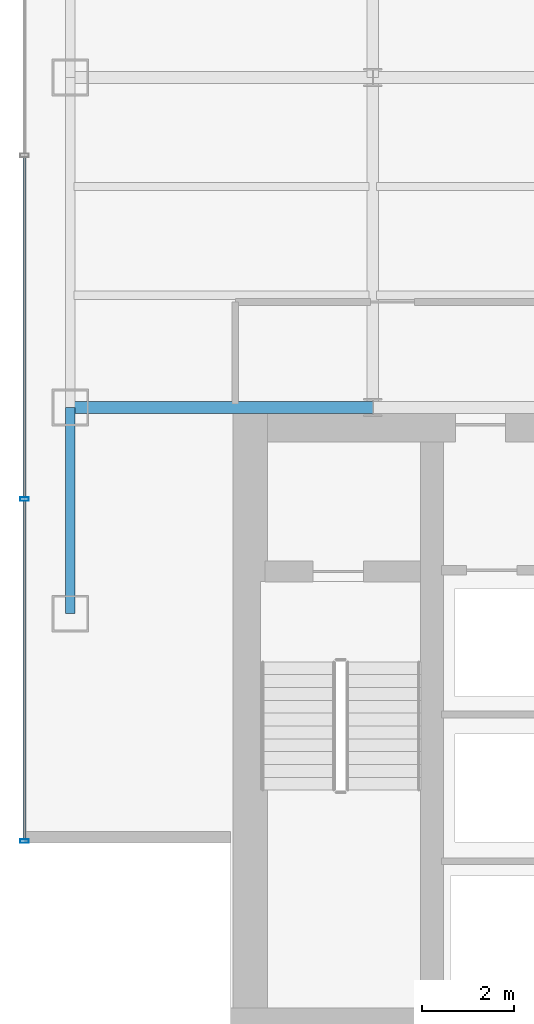
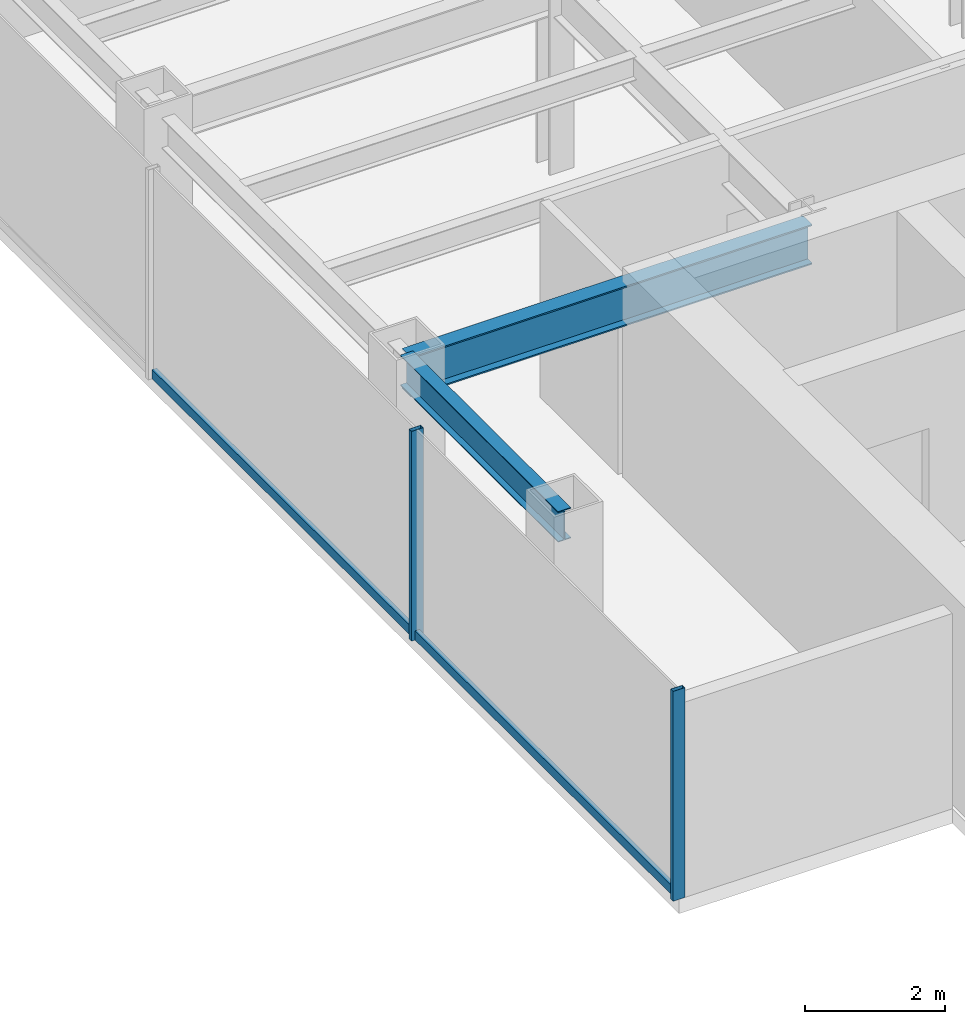
# One storey, part 2 of 26: 4 members, 2 beams, 1 element without a shape of its own.
"""IFC4 building model written with IfcOpenShell, lengths in metres."""

from ifc_helpers import new_model, si_unit, derived_unit, direction, frame, origin, origin_2d, place, context, subcontext, project, spatial, hollow_rectangle, i_section, extrude, source, transform, mapped, material, material_profile, profile_set, type_object, element, aggregate, save


model = new_model("IFC4")

# Units and contexts
model_context = context("Model", 3, precision=1e-05, world=origin(), true_north=direction((0.0, 1.0)))
body_context = subcontext(model_context, "Body", "Model", "MODEL_VIEW")
ifc_project = project(units=[si_unit("LENGTHUNIT", "METRE"), si_unit("AREAUNIT", "SQUARE_METRE"), si_unit("VOLUMEUNIT", "CUBIC_METRE"), si_unit("PLANEANGLEUNIT", "RADIAN"), si_unit("MASSUNIT", "GRAM", prefix="KILO"), derived_unit("THERMALTRANSMITTANCEUNIT", [(si_unit("POWERUNIT", "WATT"), 1), (si_unit("LENGTHUNIT", "METRE"), -2), (si_unit("THERMODYNAMICTEMPERATUREUNIT", "KELVIN"), -1)])], contexts=[model_context])

# Site, building, storey
site_placement = place(None, origin())
site = spatial("IfcSite", under=ifc_project, at=site_placement, CompositionType="ELEMENT")
building_placement = place(site_placement, origin())
building = spatial("IfcBuilding", under=site, at=building_placement, Name="Skarnbrae Concourse Arena and Tower", CompositionType="ELEMENT")
storey_placement = place(building_placement, frame((0.0, 0.0, 92.300048828125)))
storey = spatial("IfcBuildingStorey", under=building, at=storey_placement, Name="L22", CompositionType="ELEMENT", Elevation=92.300048828125)

# Beams
ifc_material_1 = material(Name="Steel CSA G40.21 350W", Category="steel")
ifc_material_profile_1 = material_profile(ifc_material_1, i_section(OverallWidth=0.256103515625, OverallDepth=0.693115234375, WebThickness=0.014404296875, FlangeThickness=0.023681640625, at=origin_2d()), Name="W690X170")
ifc_profile_set_1 = profile_set([ifc_material_profile_1], Name="Steel CSA G40.21 350W")
beam_type_1 = type_object("IfcBeamType", Name="BM-GIRD-W690X170", PredefinedType="BEAM", material=ifc_profile_set_1)
shared_shape_1 = source(origin(), body_context, "Body", "SweptSolid", [
    extrude(i_section(OverallWidth=0.256103515625, OverallDepth=0.693115234375, WebThickness=0.014404296875, FlangeThickness=0.023681640625, at=origin_2d()), origin(), (0.0, 0.0, 1.0), 6.60009765625),
])
beam_1_placement = place(storey_placement, frame((1.0, 14.0, 3.053466796875), z_axis=(1.0, 0.0, 0.0), x_axis=(0.0, 1.0, 0.0)))
element("IfcBeam", 1, at=beam_1_placement, inside=storey, type_object=beam_type_1, Name="L22 Primary E-W girder Y14.0-1", PredefinedType="BEAM", context=body_context, shape_type="MappedRepresentation", body=[
    mapped(shared_shape_1, transform((0.0, 0.0, 0.0))),
])
ifc_material_profile_2 = material_profile(ifc_material_1, i_section(OverallWidth=0.208984375, OverallDepth=0.532958984375, WebThickness=0.01025390625, FlangeThickness=0.015625, at=origin_2d()), Name="W530X92")
ifc_profile_set_2 = profile_set([ifc_material_profile_2], Name="Steel CSA G40.21 350W")
beam_type_2 = type_object("IfcBeamType", Name="BM-SPAN-W530X92", PredefinedType="SPANDREL", material=ifc_profile_set_2)
shared_shape_2 = source(origin(), body_context, "Body", "SweptSolid", [
    extrude(i_section(OverallWidth=0.208984375, OverallDepth=0.532958984375, WebThickness=0.01025390625, FlangeThickness=0.015625, at=origin_2d()), origin(), (0.0, 0.0, 1.0), 4.5),
])
beam_2_placement = place(storey_placement, frame((1.0, 9.5, 3.133544921875), z_axis=(0.0, 1.0, 0.0), x_axis=(-1.0, 0.0, 0.0)))
element("IfcBeam", 2, at=beam_2_placement, inside=storey, type_object=beam_type_2, Name="L22 Perimeter spandrel X1.0-1", PredefinedType="SPANDREL", context=body_context, shape_type="MappedRepresentation", body=[
    mapped(shared_shape_2, transform((0.0, 0.0, 0.0))),
])

# Curtain wall, members
ifc_material_2 = material(Name="Bronze anodised aluminium 6063-T6", Category="aluminium")
curtain_wall_type = type_object("IfcCurtainWallType", Name="CW-SYS-04-MIDZONE", PredefinedType="USERDEFINED", material=ifc_material_2)
curtain_wall_placement = place(storey_placement, origin())
curtain_wall = element("IfcCurtainWall", 3, at=curtain_wall_placement, inside=storey, type_object=curtain_wall_type, Name="L22 Unitised curtain wall CW-L22-E19", ObjectType="UNITISED CURTAIN WALL", PredefinedType="USERDEFINED")
ifc_material_profile_3 = material_profile(ifc_material_2, hollow_rectangle(XDim=0.074951171875, YDim=0.159912109375, WallThickness=0.00439453125, at=origin_2d()), Name="ALU-TRAN-75X160")
ifc_profile_set_3 = profile_set([ifc_material_profile_3], Name="Bronze anodised aluminium 6063-T6")
member_type_1 = type_object("IfcMemberType", Name="CWT-CW-04", PredefinedType="USERDEFINED", material=ifc_profile_set_3)
shared_shape_3 = source(origin(), body_context, "Body", "SweptSolid", [
    extrude(hollow_rectangle(XDim=0.074951171875, YDim=0.159912109375, WallThickness=0.00439453125, at=origin_2d()), origin(), (0.0, 0.0, 1.0), 7.387451171875),
])
member_1_placement = place(storey_placement, frame((0.0, 11.96240234375, 0.079833984375), z_axis=(0.0, -1.0, 0.0), x_axis=(1.0, 0.0, 0.0)))
member_1 = element("IfcMember", 4, at=member_1_placement, type_object=member_type_1, Name="CW-L22-E19 Transom 4", ObjectType="TRANSOM", PredefinedType="USERDEFINED", context=body_context, shape_type="MappedRepresentation", body=[
    mapped(shared_shape_3, transform((0.0, 0.0, 0.0))),
])
shared_shape_4 = source(origin(), body_context, "Body", "SweptSolid", [
    extrude(hollow_rectangle(XDim=0.074951171875, YDim=0.159912109375, WallThickness=0.00439453125, at=origin_2d()), origin(), (0.0, 0.0, 1.0), 7.4248046875),
])
member_2_placement = place(storey_placement, frame((0.0, 19.46240234375, 0.079833984375), z_axis=(0.0, -1.0, 0.0), x_axis=(1.0, 0.0, 0.0)))
member_2 = element("IfcMember", 5, at=member_2_placement, type_object=member_type_1, Name="CW-L22-E19 Transom 3", ObjectType="TRANSOM", PredefinedType="USERDEFINED", context=body_context, shape_type="MappedRepresentation", body=[
    mapped(shared_shape_4, transform((0.0, 0.0, 0.0))),
])
ifc_material_profile_4 = material_profile(ifc_material_2, hollow_rectangle(XDim=0.074951171875, YDim=0.195068359375, WallThickness=0.00439453125, at=origin_2d()), Name="ALU-MULL-75X195")
ifc_profile_set_4 = profile_set([ifc_material_profile_4], Name="Bronze anodised aluminium 6063-T6")
member_type_2 = type_object("IfcMemberType", Name="CWM-CW-04", PredefinedType="MULLION", material=ifc_profile_set_4)
shared_shape_5 = source(origin(), body_context, "Body", "SweptSolid", [
    extrude(hollow_rectangle(XDim=0.074951171875, YDim=0.195068359375, WallThickness=0.00439453125, at=origin_2d()), origin(), (0.0, 0.0, 1.0), 3.64990234375),
])
member_3_placement = place(storey_placement, frame((0.0, 12.0, 0.0), z_axis=(0.0, 0.0, 1.0), x_axis=(0.0, -1.0, 0.0)))
member_3 = element("IfcMember", 6, at=member_3_placement, type_object=member_type_2, Name="CW-L22-E19 Mullion 4", PredefinedType="MULLION", context=body_context, shape_type="MappedRepresentation", body=[
    mapped(shared_shape_5, transform((0.0, 0.0, 0.0))),
])
member_4_placement = place(storey_placement, frame((0.0, 4.53759765625, 0.0), z_axis=(0.0, 0.0, 1.0), x_axis=(0.0, -1.0, 0.0)))
member_4 = element("IfcMember", 7, at=member_4_placement, type_object=member_type_2, Name="CW-L22-E19 Mullion 5", PredefinedType="MULLION", context=body_context, shape_type="MappedRepresentation", body=[
    mapped(shared_shape_5, transform((0.0, 0.0, 0.0))),
])
aggregate(curtain_wall, [member_3, member_4, member_2, member_1])

save(model, "model.ifc")
